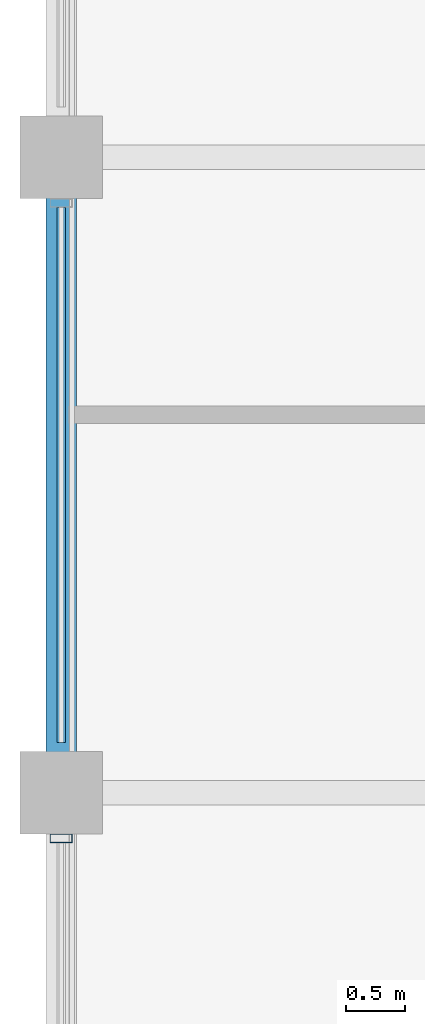
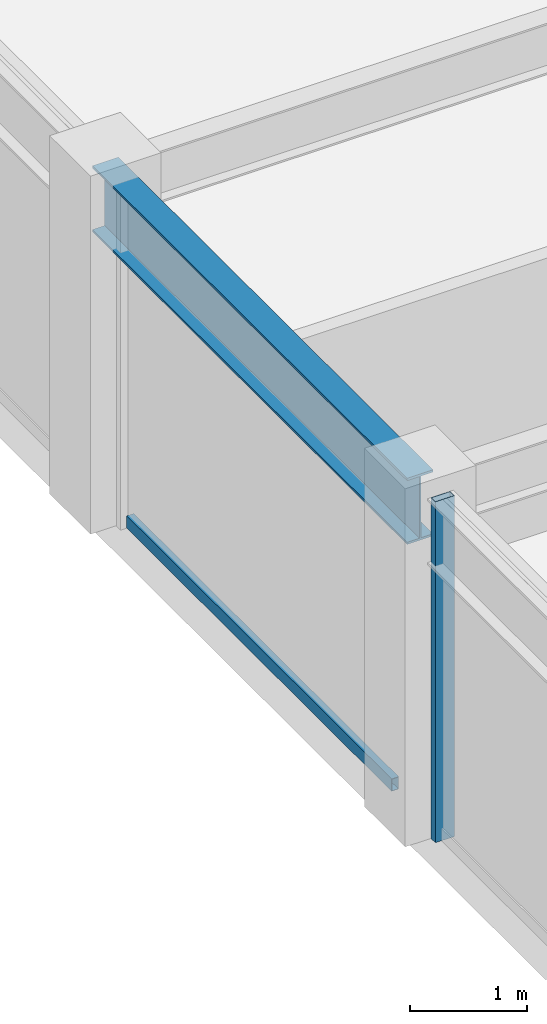
# One storey, part 10 of 34: 2 members, 1 beam, 1 element without a shape of its own.
"""IFC4 building model written with IfcOpenShell, lengths in metres."""

import ifcopenshell
import ifcopenshell.guid

model = None  # the IFC model being written
_history = None  # IfcOwnerHistory: only IFC2X3 demands one
_inside = {}  # id of a spatial element -> (the spatial element, [elements in it])
_under = {}  # id of a project, library or spatial element -> (it, [spatial elements below it])
_declared = {}  # id of a project -> (the project, [libraries it declares])
_typed = {}  # id of a type object -> (the type object, [elements of that type])
_made_of = {}  # id of a material, layer set ... -> (it, [elements and type objects made of it])


def new_model(schema):
    """Start an empty IFC model of exactly this schema.

    Asked for "IFC4X3", IfcOpenShell would pick the latest addendum, in which some entities
    have other attributes; the version numbers below select the first issue.
    IFC2X3 requires an IfcOwnerHistory on every rooted entity: one is made here for all.
    """
    global model, _history
    if schema == "IFC4X3":
        model = ifcopenshell.file(schema_version=(4, 3, 0, 0))
    else:
        model = ifcopenshell.file(schema=schema)
    _inside.clear()
    _under.clear()
    _declared.clear()
    _typed.clear()
    _made_of.clear()
    _history = None
    if model.schema == "IFC2X3":
        org = make("IfcOrganization", Name="unknown")
        user = make(
            "IfcPersonAndOrganization",
            ThePerson=make("IfcPerson", FamilyName="unknown"),
            TheOrganization=org,
        )
        app = make(
            "IfcApplication",
            ApplicationDeveloper=org,
            Version="unknown",
            ApplicationFullName="unknown",
            ApplicationIdentifier="unknown",
        )
        _history = make(
            "IfcOwnerHistory",
            OwningUser=user,
            OwningApplication=app,
            ChangeAction="ADDED",
            CreationDate=0,
        )
    return model


def make(cls, **values):
    """One entity of the class cls with the attributes given. An attribute that is None is left unset."""
    return model.create_entity(
        cls, **{name: value for name, value in values.items() if value is not None}
    )


def rooted(cls, **values):
    """An entity with a GlobalId (a new one), such as an element, a storey or a relation."""
    return make(cls, GlobalId=ifcopenshell.guid.new(), OwnerHistory=_history, **values)


def si_unit(unit_type, name, prefix=None):
    """IfcSIUnit, for example si_unit("LENGTHUNIT", "METRE", prefix="MILLI")."""
    return make("IfcSIUnit", UnitType=unit_type, Prefix=prefix, Name=name)


def assignment(units):
    """IfcUnitAssignment: the units of a project."""
    return None if units is None else make("IfcUnitAssignment", Units=units)


def point(xyz):
    """IfcCartesianPoint."""
    return None if xyz is None else make("IfcCartesianPoint", Coordinates=xyz)


def direction(xyz):
    """IfcDirection."""
    return None if xyz is None else make("IfcDirection", DirectionRatios=xyz)


def frame(location, z_axis=None, x_axis=None):
    """IfcAxis2Placement3D, a coordinate frame: its origin and axes. An axis left out is left unset."""
    return make(
        "IfcAxis2Placement3D",
        Location=point(location),
        Axis=direction(z_axis),
        RefDirection=direction(x_axis),
    )


def frame_2d(location, x_axis=None):
    """IfcAxis2Placement2D, a coordinate frame in the plane: its origin and x axis."""
    return make(
        "IfcAxis2Placement2D", Location=point(location), RefDirection=direction(x_axis)
    )


def origin():
    """The frame at (0, 0, 0) with its axes left unset."""
    return frame((0.0, 0.0, 0.0))


def origin_2d():
    """The frame at (0, 0) in the plane with its x axis left unset."""
    return frame_2d((0.0, 0.0))


def place(relative_to, where):
    """IfcLocalPlacement: puts the frame where relative to a parent placement (None: the world)."""
    return make(
        "IfcLocalPlacement", PlacementRelTo=relative_to, RelativePlacement=where
    )


def context(
    kind, dimensions, precision=None, world=None, true_north=None, identifier=None
):
    """IfcGeometricRepresentationContext, for example the 3D "Model" context."""
    return make(
        "IfcGeometricRepresentationContext",
        ContextIdentifier=identifier,
        ContextType=kind,
        CoordinateSpaceDimension=dimensions,
        Precision=precision,
        WorldCoordinateSystem=world,
        TrueNorth=true_north,
    )


def subcontext(parent, identifier, kind, view, scale=None):
    """IfcGeometricRepresentationSubContext, for example "Body" below "Model"."""
    return make(
        "IfcGeometricRepresentationSubContext",
        ContextIdentifier=identifier,
        ContextType=kind,
        ParentContext=parent,
        TargetScale=scale,
        TargetView=view,
    )


def project(units=None, contexts=None):
    """IfcProject with its units and contexts."""
    return rooted(
        "IfcProject",
        Name="project",
        RepresentationContexts=contexts,
        UnitsInContext=assignment(units),
    )


def spatial(cls, under=None, at=None, **own):
    """A site, building, storey or space (cls), placed at a placement, below another one or the project."""
    s = rooted(cls, ObjectPlacement=at, **own)
    if under is not None:
        _under.setdefault(under.id(), (under, []))[1].append(s)
    return s


def profile(cls, at=None, kind="AREA", **sizes):
    """A parametric profile (cls). Its sizes go by their IFC names, for example OverallWidth=200.0."""
    return make(cls, ProfileType=kind, Position=at, **sizes)


def hollow_rectangle(**sizes):
    """IfcRectangleHollowProfileDef."""
    return profile("IfcRectangleHollowProfileDef", **sizes)


def i_section(**sizes):
    """IfcIShapeProfileDef."""
    return profile("IfcIShapeProfileDef", **sizes)


def extrude(swept, where, along, depth):
    """IfcExtrudedAreaSolid: the profile swept, set in the frame where, extruded along a direction by depth."""
    return make(
        "IfcExtrudedAreaSolid",
        SweptArea=swept,
        Position=where,
        ExtrudedDirection=direction(along),
        Depth=depth,
    )


def shape(context_of_items, identifier, shape_type, items):
    """IfcShapeRepresentation: the items that make up one representation, for example the "Body"."""
    return make(
        "IfcShapeRepresentation",
        ContextOfItems=context_of_items,
        RepresentationIdentifier=identifier,
        RepresentationType=shape_type,
        Items=items,
    )


def material(Name=None, Category=None):
    """IfcMaterial."""
    return make("IfcMaterial", Name=Name, Category=Category)


def layer(
    of_material, thickness, ventilated=None, Name=None, Category=None, Priority=None
):
    """IfcMaterialLayer: one layer of a wall or slab, of a material (None: an air gap)."""
    return make(
        "IfcMaterialLayer",
        Material=of_material,
        LayerThickness=thickness,
        IsVentilated=ventilated,
        Name=Name,
        Category=Category,
        Priority=Priority,
    )


def layer_set(layers, Name=None):
    """IfcMaterialLayerSet."""
    return make("IfcMaterialLayerSet", MaterialLayers=layers, LayerSetName=Name)


def material_profile(
    of_material, cross_section, Name=None, Category=None, Priority=None
):
    """IfcMaterialProfile: a cross section and its material."""
    return make(
        "IfcMaterialProfile",
        Name=Name,
        Material=of_material,
        Profile=cross_section,
        Priority=Priority,
        Category=Category,
    )


def profile_set(profiles, Name=None, composite=None):
    """IfcMaterialProfileSet."""
    return make(
        "IfcMaterialProfileSet",
        Name=Name,
        MaterialProfiles=profiles,
        CompositeProfile=composite,
    )


def made_of(thing, what):
    """Note that an element or type object is made of a material, layer set ...; save() writes the relation."""
    if what is not None:
        _made_of.setdefault(what.id(), (what, []))[1].append(thing)
    return thing


def type_object(cls, material=None, **own):
    """A type object (cls), such as IfcWallType, which elements share."""
    return made_of(rooted(cls, **own), material)


def element(
    cls,
    number,
    at=None,
    inside=None,
    cuts=None,
    type_object=None,
    material=None,
    context=None,
    identifier="Body",
    shape_type=None,
    held_by="IfcProductDefinitionShape",
    body=None,
    shapes=None,
    **own,
):
    """One element of the class cls, such as IfcWall. Its Tag is "e" and its number.

    at: its placement. inside: the storey or other place that contains it. cuts: it is an
    opening in that element (IfcRelVoidsElement). A single representation is given by context,
    identifier, shape_type and body (its items); several are given by shapes. held_by: the class
    of the entity that holds the representations. save() writes the other relations.
    """
    e = rooted(cls, Tag="e%d" % number, ObjectPlacement=at, **own)
    if body is not None:
        shapes = [shape(context, identifier, shape_type, body)]
    if shapes is not None:
        e.Representation = make(held_by, Representations=shapes)
    if inside is not None:
        _inside.setdefault(inside.id(), (inside, []))[1].append(e)
    if cuts is not None:
        rooted(
            "IfcRelVoidsElement", RelatingBuildingElement=cuts, RelatedOpeningElement=e
        )
    if type_object is not None:
        _typed.setdefault(type_object.id(), (type_object, []))[1].append(e)
    return made_of(e, material)


def aggregate(whole, parts):
    """IfcRelAggregates: a whole, such as a stair, and the parts it consists of."""
    return rooted("IfcRelAggregates", RelatingObject=whole, RelatedObjects=parts)


def save(model, path):
    """Write the relations noted so far, then the file.

    IfcRelAggregates (storeys below a building ...), IfcRelContainedInSpatialStructure (elements
    in a storey), IfcRelDefinesByType, IfcRelAssociatesMaterial and IfcRelDeclares: one each for
    every whole, place, type object, material and project.
    """
    for whole, parts in _under.values():
        aggregate(whole, parts)
    for where, things in _inside.values():
        rooted(
            "IfcRelContainedInSpatialStructure",
            RelatedElements=things,
            RelatingStructure=where,
        )
    for kind, things in _typed.values():
        rooted("IfcRelDefinesByType", RelatedObjects=things, RelatingType=kind)
    for what, things in _made_of.values():
        rooted("IfcRelAssociatesMaterial", RelatedObjects=things, RelatingMaterial=what)
    for by, libraries in _declared.values():
        rooted("IfcRelDeclares", RelatingContext=by, RelatedDefinitions=libraries)
    model.write(path)


model = new_model("IFC4")

# Units and contexts
model_context = context("Model", 3, precision=1e-05, world=origin(), true_north=direction((0.0, 1.0)))
body_context = subcontext(model_context, "Body", "Model", "MODEL_VIEW")
ifc_project = project(units=[si_unit("LENGTHUNIT", "METRE"), si_unit("AREAUNIT", "SQUARE_METRE"), si_unit("VOLUMEUNIT", "CUBIC_METRE"), si_unit("PLANEANGLEUNIT", "RADIAN"), si_unit("MASSUNIT", "GRAM", prefix="KILO")], contexts=[model_context])

# Site, building, storey
site_placement = place(None, origin())
site = spatial("IfcSite", under=ifc_project, at=site_placement, CompositionType="ELEMENT")
building_placement = place(site_placement, origin())
building = spatial("IfcBuilding", under=site, at=building_placement, Name="Surkhivell Harbour Commons", CompositionType="ELEMENT")
storey_placement = place(building_placement, frame((0.0, 0.0, 258.75)))
storey = spatial("IfcBuildingStorey", under=building, at=storey_placement, Name="L67", CompositionType="ELEMENT", Elevation=258.75)

# Beam
ifc_material_1 = material(Name="Steel S355", Category="steel")
ifc_material_profile_1 = material_profile(ifc_material_1, i_section(OverallWidth=0.256103515625, OverallDepth=0.693115234375, WebThickness=0.014404296875, FlangeThickness=0.023681640625, at=origin_2d()), Name="UB686x254x170")
ifc_profile_set_1 = profile_set([ifc_material_profile_1], Name="Steel S355")
beam_type = type_object("IfcBeamType", Name="BM-SPN-686", PredefinedType="SPANDREL", material=ifc_profile_set_1)
beam_placement = place(storey_placement, frame((-27.0, 5.39990234375, 3.223388671875), z_axis=(0.0, 1.0, 0.0), x_axis=(-1.0, 0.0, 0.0)))
element("IfcBeam", 1, at=beam_placement, inside=storey, type_object=beam_type, Name="L67 Tube Spandrel (-27.0,5.4)", PredefinedType="SPANDREL", context=body_context, shape_type="SweptSolid", body=[
    extrude(i_section(OverallWidth=0.256103515625, OverallDepth=0.693115234375, WebThickness=0.014404296875, FlangeThickness=0.023681640625, at=origin_2d()), origin(), (0.0, 0.0, 1.0), 5.400146484375),
])

# Curtain wall, members
ifc_material_2 = material(Name="Anodised pale-metal aluminium and insulated glazing", Category="aluminium")
ifc_layer = layer(ifc_material_2, 0.175048828125)
ifc_layer_set = layer_set([ifc_layer], Name="Anodised pale-metal aluminium and insulated glazing")
curtain_wall_type = type_object("IfcCurtainWallType", Name="CW-SYS-Z4", PredefinedType="NOTDEFINED", material=ifc_layer_set)
curtain_wall_placement = place(storey_placement, origin())
curtain_wall = element("IfcCurtainWall", 2, at=curtain_wall_placement, inside=storey, type_object=curtain_wall_type, Name="L67 Curtain Wall CW-L67-E12S1", PredefinedType="NOTDEFINED")
ifc_material_3 = material(Name="Anodised pale-metal aluminium alloy 6063-T6", Category="aluminium")
ifc_material_profile_2 = material_profile(ifc_material_3, hollow_rectangle(XDim=0.074951171875, YDim=0.18994140625, WallThickness=0.00390625, at=origin_2d()), Name="ALU-MULL-75x190")
ifc_profile_set_2 = profile_set([ifc_material_profile_2], Name="Anodised pale-metal aluminium alloy 6063-T6")
member_type_1 = type_object("IfcMemberType", Name="CWM-190", PredefinedType="MULLION", material=ifc_profile_set_2)
member_1_placement = place(storey_placement, frame((-27.0, 5.010498046875, 0.0), z_axis=(0.0, 0.0, 1.0), x_axis=(0.0, -1.0, 0.0)))
member_1 = element("IfcMember", 3, at=member_1_placement, type_object=member_type_1, Name="CW-Z4 mullion 4", PredefinedType="MULLION", context=body_context, shape_type="SweptSolid", body=[
    extrude(hollow_rectangle(XDim=0.074951171875, YDim=0.18994140625, WallThickness=0.00390625, at=origin_2d()), origin(), (0.0, 0.0, 1.0), 3.570068359375),
])
ifc_material_4 = material(Name="Champagne anodised aluminium alloy 6063-T6", Category="aluminium")
ifc_material_profile_3 = material_profile(ifc_material_4, hollow_rectangle(XDim=0.070068359375, YDim=0.1298828125, WallThickness=0.00341796875, at=origin_2d()), Name="ALU-TRAN-70x130")
ifc_profile_set_3 = profile_set([ifc_material_profile_3], Name="Champagne anodised aluminium alloy 6063-T6")
member_type_2 = type_object("IfcMemberType", Name="CWT-130", PredefinedType="USERDEFINED", material=ifc_profile_set_3)
member_2_placement = place(storey_placement, frame((-27.0, 10.373046875, 0.06494140625), z_axis=(0.0, -1.0, 0.0), x_axis=(1.0, 0.0, 0.0)))
member_2 = element("IfcMember", 4, at=member_2_placement, type_object=member_type_2, Name="CW-Z4 transom 3.1", ObjectType="TRANSOM", PredefinedType="USERDEFINED", context=body_context, shape_type="SweptSolid", body=[
    extrude(hollow_rectangle(XDim=0.070068359375, YDim=0.1298828125, WallThickness=0.00341796875, at=origin_2d()), origin(), (0.0, 0.0, 1.0), 4.546142578125),
])
aggregate(curtain_wall, [member_2, member_1])

save(model, "model.ifc")
